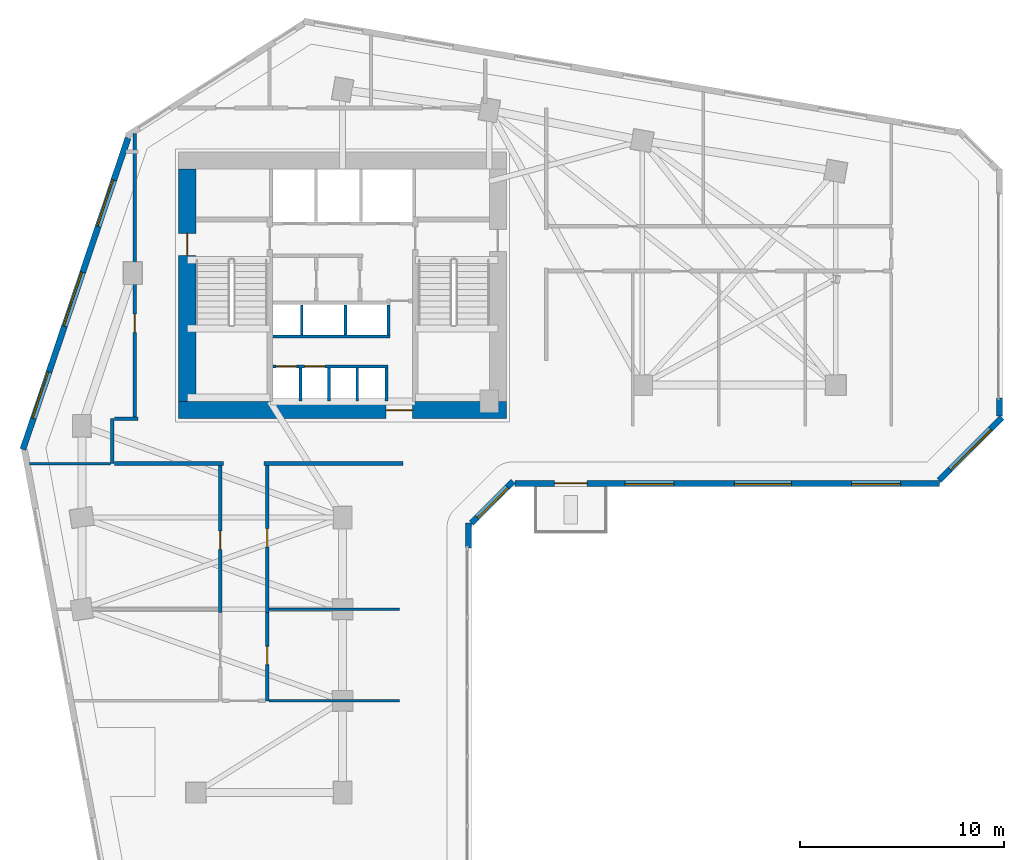
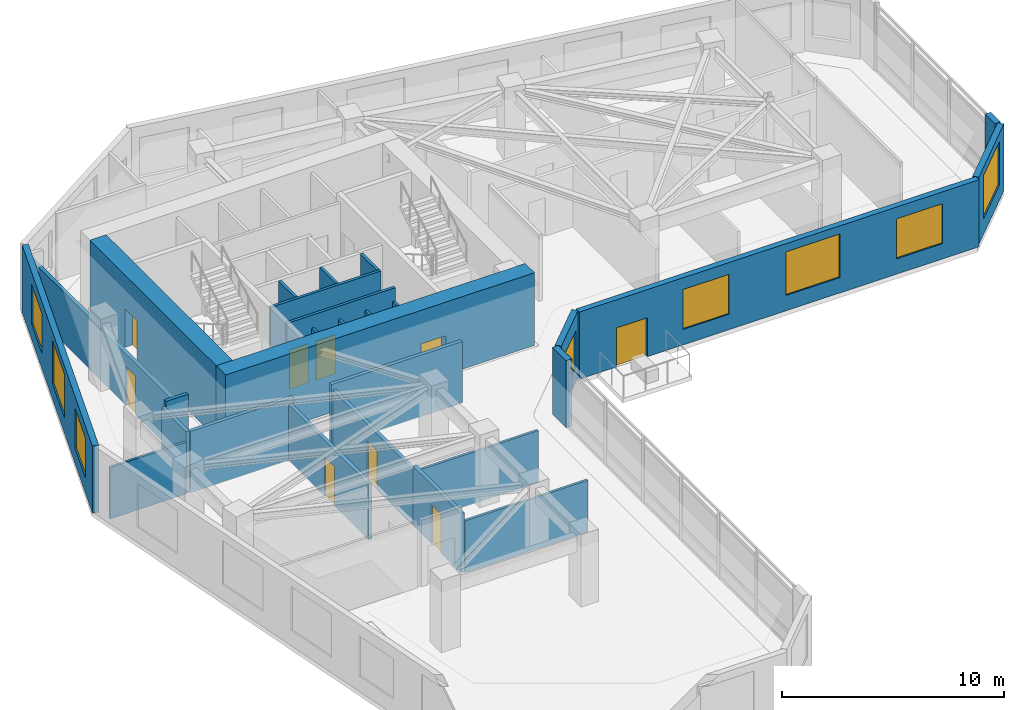
# One storey, part 5 of 10: 28 walls, 9 doors, 8 windows, 17 openings.
"""IFC4 building model written with IfcOpenShell, lengths in metres."""

from ifc_helpers import new_model, si_unit, direction, frame, frame_2d, origin, place, context, subcontext, project, spatial, rectangle, extrude, source, transform, mapped, material, layer, layer_set, type_object, element, fill, save


model = new_model("IFC4")

# Units and contexts
model_context = context("Model", 3, precision=1e-05, world=origin(), true_north=direction((0.0, 1.0)))
body_context = subcontext(model_context, "Body", "Model", "MODEL_VIEW")
ifc_project = project(units=[si_unit("LENGTHUNIT", "METRE"), si_unit("AREAUNIT", "SQUARE_METRE"), si_unit("VOLUMEUNIT", "CUBIC_METRE"), si_unit("PLANEANGLEUNIT", "RADIAN"), si_unit("MASSUNIT", "GRAM", prefix="KILO")], contexts=[model_context])

# Site, building, storey
site_placement = place(None, origin())
site = spatial("IfcSite", under=ifc_project, at=site_placement, CompositionType="ELEMENT")
building_placement = place(site_placement, origin())
building = spatial("IfcBuilding", under=site, at=building_placement, Name="Calvemar Wedge Station Tower", CompositionType="ELEMENT")
storey_placement = place(building_placement, frame((0.0, 0.0, 95.0)))
storey = spatial("IfcBuildingStorey", under=building, at=storey_placement, Name="L23", CompositionType="ELEMENT", Elevation=95.0)

# Wall, opening, door
ifc_material_1 = material(Name="Concrete C80", Category="concrete")
ifc_layer_1 = layer(ifc_material_1, 0.85009765625)
ifc_layer_set_1 = layer_set([ifc_layer_1], Name="Concrete C80")
wall_type_1 = type_object("IfcWallType", Name="SW-CORE-850", PredefinedType="SHEAR", material=ifc_layer_set_1)
wall_1_placement = place(storey_placement, frame((15.75, 33.77490234375, 0.0), z_axis=(0.0, 0.0, 1.0), x_axis=(1.0, 0.0, 0.0)))
wall_1 = element("IfcWall", 1, at=wall_1_placement, inside=storey, type_object=wall_type_1, Name="Storey L23 Core Shear Wall S", PredefinedType="SHEAR", context=body_context, shape_type="SweptSolid", body=[
    extrude(rectangle(XDim=16.10009765625, YDim=0.85009765625, at=frame_2d((8.050048828125, 0.0))), origin(), (0.0, 0.0, 1.0), 4.0),
])
shared_shape_1 = source(origin(), body_context, "Body", "SweptSolid", [
    extrude(rectangle(XDim=1.300048828125, YDim=2.14990234375, at=frame_2d((0.64990234375, 1.074951171875))), frame((0.0, 0.43505859375, 0.0), z_axis=(0.0, -1.0, 0.0), x_axis=(1.0, 0.0, 0.0)), (0.0, 0.0, 1.0), 0.8701171875),
])
opening_1_placement = place(wall_1_placement, frame((10.179931640625, 0.0, 0.0)))
opening_1 = element("IfcOpeningElement", 2, at=opening_1_placement, cuts=wall_1, Name="Opening DD-130", PredefinedType="OPENING", context=body_context, shape_type="MappedRepresentation", body=[
    mapped(shared_shape_1, transform((0.0, 0.0, 0.0), scale=1.0)),
])
ifc_material_2 = material(Name="Double-leaf lift lobby fire door EI 60")
door_type_1 = type_object("IfcDoorType", Name="DR-DBL-1300", OperationType="DOUBLE_DOOR_SINGLE_SWING", PredefinedType="DOOR", material=ifc_material_2)
shared_shape_2 = source(origin(), body_context, "Body", "SweptSolid", [
    extrude(rectangle(XDim=1.300048828125, YDim=2.14990234375, at=frame_2d((0.64990234375, 1.074951171875))), frame((0.0, 0.02490234375, 0.0), z_axis=(0.0, -1.0, 0.0), x_axis=(1.0, 0.0, 0.0)), (0.0, 0.0, 1.0), 0.050048828125),
])
door_1_placement = place(opening_1_placement, origin())
door_1 = element("IfcDoor", 3, at=door_1_placement, inside=storey, type_object=door_type_1, Name="L23 Passenger Lift Lobby Door", OperationType="DOUBLE_DOOR_SINGLE_SWING", OverallHeight=2.14990234375, OverallWidth=1.300048828125, PredefinedType="DOOR", context=body_context, shape_type="MappedRepresentation", body=[
    mapped(shared_shape_2, transform((0.0, 0.0, 0.0), scale=1.0)),
])
fill(opening_1, door_1)

wall_2_placement = place(storey_placement, frame((16.175048828125, 34.199951171875, 0.0), z_axis=(0.0, 0.0, 1.0), x_axis=(0.0, 1.0, 0.0)))
wall_2 = element("IfcWall", 4, at=wall_2_placement, inside=storey, type_object=wall_type_1, Name="Storey L23 Core Shear Wall W", PredefinedType="SHEAR", context=body_context, shape_type="SweptSolid", body=[
    extrude(rectangle(XDim=11.400146484375, YDim=0.85009765625, at=frame_2d((5.7001953125, 0.0))), origin(), (0.0, 0.0, 1.0), 4.0),
])
shared_shape_3 = source(origin(), body_context, "Body", "SweptSolid", [
    extrude(rectangle(XDim=1.10009765625, YDim=2.14990234375, at=frame_2d((0.550048828125, 1.074951171875))), frame((0.0, 0.43505859375, 0.0), z_axis=(0.0, -1.0, 0.0), x_axis=(1.0, 0.0, 0.0)), (0.0, 0.0, 1.0), 0.8701171875),
])
opening_2_placement = place(wall_2_placement, frame((7.14990234375, 0.0, 0.0)))
opening_2 = element("IfcOpeningElement", 5, at=opening_2_placement, cuts=wall_2, Name="Opening FD-90", PredefinedType="OPENING", context=body_context, shape_type="MappedRepresentation", body=[
    mapped(shared_shape_3, transform((0.0, 0.0, 0.0), scale=1.0)),
])
ifc_material_3 = material(Name="Galvanized fire-rated steel door leaf P-90", Category="steel")
door_type_2 = type_object("IfcDoorType", Name="DR-FD90-1100", OperationType="NOTDEFINED", PredefinedType="DOOR", material=ifc_material_3)
shared_shape_4 = source(origin(), body_context, "Body", "SweptSolid", [
    extrude(rectangle(XDim=1.10009765625, YDim=2.14990234375, at=frame_2d((0.550048828125, 1.074951171875))), frame((0.0, 0.02490234375, 0.0), z_axis=(0.0, -1.0, 0.0), x_axis=(1.0, 0.0, 0.0)), (0.0, 0.0, 1.0), 0.050048828125),
])
door_2_placement = place(opening_2_placement, origin())
door_2 = element("IfcDoor", 6, at=door_2_placement, inside=storey, type_object=door_type_2, Name="L23 West Corridor to Exit Stair ST-C1 Door", OperationType="SINGLE_SWING_LEFT", OverallHeight=2.14990234375, OverallWidth=1.10009765625, PredefinedType="DOOR", context=body_context, shape_type="MappedRepresentation", body=[
    mapped(shared_shape_4, transform((0.0, 0.0, 0.0), scale=1.0)),
])
fill(opening_2, door_2)

# Walls
ifc_material_4 = material(Name="Double-stud fire-rated corridor partition")
ifc_layer_2 = layer(ifc_material_4, 0.179931640625)
ifc_layer_set_2 = layer_set([ifc_layer_2], Name="Double-stud fire-rated corridor partition")
wall_type_2 = type_object("IfcWallType", Name="W-CORR-180", PredefinedType="PARTITIONING", material=ifc_layer_set_2)
wall_3_placement = place(storey_placement, frame((12.5, 31.14990234375, 0.0), z_axis=(0.0, 0.0, 1.0), x_axis=(0.0, 1.0, 0.0)))
element("IfcWall", 7, at=wall_3_placement, inside=storey, type_object=wall_type_2, Name="Storey L23 Interior Partition WL-L23-006", PredefinedType="PARTITIONING", context=body_context, shape_type="SweptSolid", body=[
    extrude(rectangle(XDim=2.2001953125, YDim=0.179931640625, at=frame_2d((1.10009765625, 0.0))), origin(), (0.0, 0.0, 1.0), 3.384033203125),
])
wall_4_placement = place(storey_placement, frame((12.593994140625, 33.35009765625, 0.0), z_axis=(0.0, 0.0, 1.0), x_axis=(1.0, 0.0, 0.0)))
element("IfcWall", 8, at=wall_4_placement, inside=storey, type_object=wall_type_2, Name="Storey L23 Interior Partition WL-L23-007", PredefinedType="PARTITIONING", context=body_context, shape_type="SweptSolid", body=[
    extrude(rectangle(XDim=1.166015625, YDim=0.179931640625, at=frame_2d((0.5830078125, 0.0))), origin(), (0.0, 0.0, 1.0), 3.699951171875),
])
wall_5_placement = place(storey_placement, frame((17.9599609375, 31.14990234375, 0.0), z_axis=(0.0, 0.0, 1.0), x_axis=(-1.0, 0.0, 0.0)))
element("IfcWall", 9, at=wall_5_placement, inside=storey, type_object=wall_type_2, Name="Storey L23 Interior Partition WL-L23-008", PredefinedType="PARTITIONING", context=body_context, shape_type="SweptSolid", body=[
    extrude(rectangle(XDim=5.365966796875, YDim=0.179931640625, at=frame_2d((2.68310546875, 0.0))), origin(), (0.0, 0.0, 1.0), 3.384033203125),
])
wall_6_placement = place(storey_placement, frame((26.760009765625, 31.14990234375, 0.0), z_axis=(0.0, 0.0, 1.0), x_axis=(-1.0, 0.0, 0.0)))
element("IfcWall", 10, at=wall_6_placement, inside=storey, type_object=wall_type_2, Name="Storey L23 Interior Partition WL-L23-009", PredefinedType="PARTITIONING", context=body_context, shape_type="SweptSolid", body=[
    extrude(rectangle(XDim=6.820068359375, YDim=0.179931640625, at=frame_2d((3.41015625, 0.0))), origin(), (0.0, 0.0, 1.0), 3.384033203125),
])

# Wall, opening, door
wall_7_placement = place(storey_placement, frame((13.60009765625, 33.444091796875, 0.0), z_axis=(0.0, 0.0, 1.0), x_axis=(0.0, 1.0, 0.0)))
wall_7 = element("IfcWall", 11, at=wall_7_placement, inside=storey, type_object=wall_type_2, Name="Storey L23 Interior Partition WL-L23-010", PredefinedType="PARTITIONING", context=body_context, shape_type="SweptSolid", body=[
    extrude(rectangle(XDim=13.896240234375, YDim=0.179931640625, at=frame_2d((6.9482421875, 0.0))), origin(), (0.0, 0.0, 1.0), 2.842041015625),
])
shared_shape_5 = source(origin(), body_context, "Body", "SweptSolid", [
    extrude(rectangle(XDim=0.89990234375, YDim=2.14990234375, at=frame_2d((0.449951171875, 1.074951171875))), frame((0.0, 0.10009765625, 0.0), z_axis=(0.0, -1.0, 0.0), x_axis=(1.0, 0.0, 0.0)), (0.0, 0.0, 1.0), 0.199951171875),
])
opening_3_placement = place(wall_7_placement, frame((4.143798828125, 0.0, 0.0)))
opening_3 = element("IfcOpeningElement", 12, at=opening_3_placement, cuts=wall_7, Name="Opening D-01", PredefinedType="OPENING", context=body_context, shape_type="MappedRepresentation", body=[
    mapped(shared_shape_5, transform((0.0, 0.0, 0.0), scale=1.0)),
])
ifc_material_5 = material(Name="Architectural hardwood acoustic swing door", Category="wood")
door_type_3 = type_object("IfcDoorType", Name="DR-INT-900", OperationType="NOTDEFINED", PredefinedType="DOOR", material=ifc_material_5)
shared_shape_6 = source(origin(), body_context, "Body", "SweptSolid", [
    extrude(rectangle(XDim=0.89990234375, YDim=2.14990234375, at=frame_2d((0.449951171875, 1.074951171875))), frame((0.0, 0.02490234375, 0.0), z_axis=(0.0, -1.0, 0.0), x_axis=(1.0, 0.0, 0.0)), (0.0, 0.0, 1.0), 0.050048828125),
])
door_3_placement = place(opening_3_placement, origin())
door_3 = element("IfcDoor", 13, at=door_3_placement, inside=storey, type_object=door_type_3, Name="L23 Co-Working Studio Door", OperationType="SINGLE_SWING_RIGHT", OverallHeight=2.14990234375, OverallWidth=0.89990234375, PredefinedType="DOOR", context=body_context, shape_type="MappedRepresentation", body=[
    mapped(shared_shape_6, transform((0.0, 0.0, 0.0), scale=1.0)),
])
fill(opening_3, door_3)

wall_8_placement = place(storey_placement, frame((17.800048828125, 23.840087890625, 0.0), z_axis=(0.0, 0.0, 1.0), x_axis=(0.0, 1.0, 0.0)))
wall_8 = element("IfcWall", 14, at=wall_8_placement, inside=storey, type_object=wall_type_2, Name="Storey L23 Interior Partition WL-L23-034", PredefinedType="PARTITIONING", context=body_context, shape_type="SweptSolid", body=[
    extrude(rectangle(XDim=7.2158203125, YDim=0.179931640625, at=frame_2d((3.60791015625, 0.0))), origin(), (0.0, 0.0, 1.0), 3.074951171875),
])
opening_4_placement = place(wall_8_placement, frame((3.0966796875, 0.0, 0.0)))
opening_4 = element("IfcOpeningElement", 15, at=opening_4_placement, cuts=wall_8, Name="Opening D-01", PredefinedType="OPENING", context=body_context, shape_type="MappedRepresentation", body=[
    mapped(shared_shape_5, transform((0.0, 0.0, 0.0), scale=1.0)),
])
door_4_placement = place(opening_4_placement, origin())
door_4 = element("IfcDoor", 16, at=door_4_placement, inside=storey, type_object=door_type_3, Name="L23 Co-Working Studio Door", OperationType="SINGLE_SWING_LEFT", OverallHeight=2.14990234375, OverallWidth=0.89990234375, PredefinedType="DOOR", context=body_context, shape_type="MappedRepresentation", body=[
    mapped(shared_shape_6, transform((0.0, 0.0, 0.0), scale=1.0)),
])
fill(opening_4, door_4)

wall_9_placement = place(storey_placement, frame((20.10009765625, 31.055908203125, 0.0), z_axis=(0.0, 0.0, 1.0), x_axis=(0.0, -1.0, 0.0)))
wall_9 = element("IfcWall", 17, at=wall_9_placement, inside=storey, type_object=wall_type_2, Name="Storey L23 Interior Partition WL-L23-036", PredefinedType="PARTITIONING", context=body_context, shape_type="SweptSolid", body=[
    extrude(rectangle(XDim=7.2158203125, YDim=0.179931640625, at=frame_2d((3.60791015625, 0.0))), origin(), (0.0, 0.0, 1.0), 3.074951171875),
])
opening_5_placement = place(wall_9_placement, frame((3.0966796875, 0.0, 0.0)))
opening_5 = element("IfcOpeningElement", 18, at=opening_5_placement, cuts=wall_9, Name="Opening D-01", PredefinedType="OPENING", context=body_context, shape_type="MappedRepresentation", body=[
    mapped(shared_shape_5, transform((0.0, 0.0, 0.0), scale=1.0)),
])
door_5_placement = place(opening_5_placement, origin())
door_5 = element("IfcDoor", 19, at=door_5_placement, inside=storey, type_object=door_type_3, Name="L23 Meeting Room Door", OperationType="SINGLE_SWING_LEFT", OverallHeight=2.14990234375, OverallWidth=0.89990234375, PredefinedType="DOOR", context=body_context, shape_type="MappedRepresentation", body=[
    mapped(shared_shape_6, transform((0.0, 0.0, 0.0), scale=1.0)),
])
fill(opening_5, door_5)

wall_10_placement = place(storey_placement, frame((20.10009765625, 23.837890625, 0.0), z_axis=(0.0, 0.0, 1.0), x_axis=(0.0, -1.0, 0.0)))
wall_10 = element("IfcWall", 20, at=wall_10_placement, inside=storey, type_object=wall_type_2, Name="Storey L23 Interior Partition WL-L23-037", PredefinedType="PARTITIONING", context=body_context, shape_type="SweptSolid", body=[
    extrude(rectangle(XDim=4.337890625, YDim=0.179931640625, at=frame_2d((2.1689453125, 0.0))), origin(), (0.0, 0.0, 1.0), 3.27197265625),
])
opening_6_placement = place(wall_10_placement, frame((1.656494140625, 0.0, 0.0)))
opening_6 = element("IfcOpeningElement", 21, at=opening_6_placement, cuts=wall_10, Name="Opening D-01", PredefinedType="OPENING", context=body_context, shape_type="MappedRepresentation", body=[
    mapped(shared_shape_5, transform((0.0, 0.0, 0.0), scale=1.0)),
])
door_6_placement = place(opening_6_placement, origin())
door_6 = element("IfcDoor", 22, at=door_6_placement, inside=storey, type_object=door_type_3, Name="L23 Office Door", OperationType="SINGLE_SWING_RIGHT", OverallHeight=2.14990234375, OverallWidth=0.89990234375, PredefinedType="DOOR", context=body_context, shape_type="MappedRepresentation", body=[
    mapped(shared_shape_6, transform((0.0, 0.0, 0.0), scale=1.0)),
])
fill(opening_6, door_6)

# Wall
ifc_material_6 = material(Name="Precast concrete C45", Category="concrete")
ifc_layer_3 = layer(ifc_material_6, 0.300048828125)
ifc_layer_set_3 = layer_set([ifc_layer_3], Name="Precast concrete C45")
wall_type_3 = type_object("IfcWallType", Name="W-EXT-GFRC-300", PredefinedType="SOLIDWALL", material=ifc_layer_set_3)
wall_11_placement = place(storey_placement, frame((29.97802734375, 27.01513671875, 0.0), z_axis=(0.0, 0.0, 1.0), x_axis=(0.0, 1.0, 0.0)))
element("IfcWall", 23, at=wall_11_placement, inside=storey, type_object=wall_type_3, Name="Storey L23 Bronze GFRC Corner Pier 4B", PredefinedType="SOLIDWALL", context=body_context, shape_type="SweptSolid", body=[
    extrude(rectangle(XDim=1.224853515625, YDim=0.300048828125, at=frame_2d((0.6123046875, 0.0))), origin(), (0.0, 0.0, 1.0), 3.699951171875),
])

# Wall, opening, window
wall_12_placement = place(storey_placement, frame((30.115966796875, 28.22802734375, 0.0), z_axis=(0.0, 0.0, 1.0), x_axis=(0.707064797706, 0.707148762175, 0.0)))
wall_12 = element("IfcWall", 24, at=wall_12_placement, inside=storey, type_object=wall_type_3, Name="Storey L23 Bronze GFRC Exterior Wall 5", PredefinedType="SOLIDWALL", context=body_context, shape_type="SweptSolid", body=[
    extrude(rectangle(XDim=2.90771484375, YDim=0.300048828125, at=frame_2d((1.453857421875, 0.0))), origin(), (0.0, 0.0, 1.0), 3.699951171875),
])
shared_shape_7 = source(origin(), body_context, "Body", "SweptSolid", [
    extrude(rectangle(XDim=2.10009765625, YDim=2.0, at=frame_2d((1.050048828125, 1.0))), frame((0.0, 0.16015625, 0.0), z_axis=(0.0, -1.0, 0.0), x_axis=(1.0, 0.0, 0.0)), (0.0, 0.0, 1.0), 0.320068359375),
])
opening_7_placement = place(wall_12_placement, frame((0.404052734375, 0.0, 0.85009765625)))
opening_7 = element("IfcOpeningElement", 25, at=opening_7_placement, cuts=wall_12, Name="Opening W4", PredefinedType="OPENING", context=body_context, shape_type="MappedRepresentation", body=[
    mapped(shared_shape_7, transform((0.0, 0.0, 0.0), scale=1.0)),
])
ifc_material_7 = material(Name="Low-E laminated insulated glass", Category="glass")
window_type_1 = type_object("IfcWindowType", Name="WIN-EXT-4", PartitioningType="SINGLE_PANEL", PredefinedType="WINDOW", material=ifc_material_7)
shared_shape_8 = source(origin(), body_context, "Body", "SweptSolid", [
    extrude(rectangle(XDim=2.10009765625, YDim=2.0, at=frame_2d((1.050048828125, 1.0))), frame((0.0, -0.014892578125, 0.0), z_axis=(0.0, -1.0, 0.0), x_axis=(1.0, 0.0, 0.0)), (0.0, 0.0, 1.0), 0.06005859375),
])
window_1_placement = place(opening_7_placement, origin())
window_1 = element("IfcWindow", 26, at=window_1_placement, inside=storey, type_object=window_type_1, Name="Storey L23 Recessed Window 5.1", OverallHeight=2.0, OverallWidth=2.10009765625, PartitioningType="SINGLE_PANEL", PredefinedType="WINDOW", context=body_context, shape_type="MappedRepresentation", body=[
    mapped(shared_shape_8, transform((0.0, 0.0, 0.0), scale=1.0)),
])
fill(opening_7, window_1)

# Wall, openings, windows, door
wall_13_placement = place(storey_placement, frame((32.260986328125, 30.177978515625, 0.0), z_axis=(0.0, 0.0, 1.0), x_axis=(1.0, 0.0, 0.0)))
wall_13 = element("IfcWall", 27, at=wall_13_placement, inside=storey, type_object=wall_type_3, Name="Storey L23 Bronze GFRC Exterior Wall 6", PredefinedType="SOLIDWALL", context=body_context, shape_type="SweptSolid", body=[
    extrude(rectangle(XDim=20.826904296875, YDim=0.300048828125, at=frame_2d((10.41357421875, 0.0))), origin(), (0.0, 0.0, 1.0), 3.699951171875),
])
shared_shape_9 = source(origin(), body_context, "Body", "SweptSolid", [
    extrude(rectangle(XDim=1.60009765625, YDim=2.14990234375, at=frame_2d((0.800048828125, 1.074951171875))), frame((0.0, 0.16015625, 0.0), z_axis=(0.0, -1.0, 0.0), x_axis=(1.0, 0.0, 0.0)), (0.0, 0.0, 1.0), 0.320068359375),
])
opening_8_placement = place(wall_13_placement, frame((1.93896484375, 0.0, 0.0)))
opening_8 = element("IfcOpeningElement", 28, at=opening_8_placement, cuts=wall_13, Name="Opening DT1", PredefinedType="OPENING", context=body_context, shape_type="MappedRepresentation", body=[
    mapped(shared_shape_9, transform((0.0, 0.0, 0.0), scale=1.0)),
])
shared_shape_10 = source(origin(), body_context, "Body", "SweptSolid", [
    extrude(rectangle(XDim=2.39990234375, YDim=2.199951171875, at=frame_2d((1.199951171875, 1.10009765625))), frame((0.0, 0.16015625, 0.0), z_axis=(0.0, -1.0, 0.0), x_axis=(1.0, 0.0, 0.0)), (0.0, 0.0, 1.0), 0.320068359375),
])
opening_9_placement = place(wall_13_placement, frame((5.39990234375, 0.0, 0.85009765625)))
opening_9 = element("IfcOpeningElement", 29, at=opening_9_placement, cuts=wall_13, Name="Opening W1", PredefinedType="OPENING", context=body_context, shape_type="MappedRepresentation", body=[
    mapped(shared_shape_10, transform((0.0, 0.0, 0.0), scale=1.0)),
])
shared_shape_11 = source(origin(), body_context, "Body", "SweptSolid", [
    extrude(rectangle(XDim=2.800048828125, YDim=2.39990234375, at=frame_2d((1.39990234375, 1.199951171875))), frame((0.0, 0.16015625, 0.0), z_axis=(0.0, -1.0, 0.0), x_axis=(1.0, 0.0, 0.0)), (0.0, 0.0, 1.0), 0.320068359375),
])
opening_10_placement = place(wall_13_placement, frame((10.762939453125, 0.0, 0.85009765625)))
opening_10 = element("IfcOpeningElement", 30, at=opening_10_placement, cuts=wall_13, Name="Opening W6", PredefinedType="OPENING", context=body_context, shape_type="MappedRepresentation", body=[
    mapped(shared_shape_11, transform((0.0, 0.0, 0.0), scale=1.0)),
])
opening_11_placement = place(wall_13_placement, frame((16.52587890625, 0.0, 0.85009765625)))
opening_11 = element("IfcOpeningElement", 31, at=opening_11_placement, cuts=wall_13, Name="Opening W1", PredefinedType="OPENING", context=body_context, shape_type="MappedRepresentation", body=[
    mapped(shared_shape_10, transform((0.0, 0.0, 0.0), scale=1.0)),
])
window_type_2 = type_object("IfcWindowType", Name="WIN-EXT-6", PartitioningType="SINGLE_PANEL", PredefinedType="WINDOW", material=ifc_material_7)
shared_shape_12 = source(origin(), body_context, "Body", "SweptSolid", [
    extrude(rectangle(XDim=2.800048828125, YDim=2.39990234375, at=frame_2d((1.39990234375, 1.199951171875))), frame((0.0, -0.014892578125, 0.0), z_axis=(0.0, -1.0, 0.0), x_axis=(1.0, 0.0, 0.0)), (0.0, 0.0, 1.0), 0.06005859375),
])
window_2_placement = place(opening_10_placement, origin())
window_2 = element("IfcWindow", 32, at=window_2_placement, inside=storey, type_object=window_type_2, Name="Storey L23 Recessed Window 6.2", OverallHeight=2.39990234375, OverallWidth=2.800048828125, PartitioningType="SINGLE_PANEL", PredefinedType="WINDOW", context=body_context, shape_type="MappedRepresentation", body=[
    mapped(shared_shape_12, transform((0.0, 0.0, 0.0), scale=1.0)),
])
fill(opening_10, window_2)
window_type_3 = type_object("IfcWindowType", Name="WIN-EXT-1", PartitioningType="SINGLE_PANEL", PredefinedType="WINDOW", material=ifc_material_7)
shared_shape_13 = source(origin(), body_context, "Body", "SweptSolid", [
    extrude(rectangle(XDim=2.39990234375, YDim=2.199951171875, at=frame_2d((1.199951171875, 1.10009765625))), frame((0.0, -0.014892578125, 0.0), z_axis=(0.0, -1.0, 0.0), x_axis=(1.0, 0.0, 0.0)), (0.0, 0.0, 1.0), 0.06005859375),
])
window_3_placement = place(opening_9_placement, origin())
window_3 = element("IfcWindow", 33, at=window_3_placement, inside=storey, type_object=window_type_3, Name="Storey L23 Recessed Window 6.1", OverallHeight=2.199951171875, OverallWidth=2.39990234375, PartitioningType="SINGLE_PANEL", PredefinedType="WINDOW", context=body_context, shape_type="MappedRepresentation", body=[
    mapped(shared_shape_13, transform((0.0, 0.0, 0.0), scale=1.0)),
])
fill(opening_9, window_3)
window_4_placement = place(opening_11_placement, origin())
window_4 = element("IfcWindow", 34, at=window_4_placement, inside=storey, type_object=window_type_3, Name="Storey L23 Recessed Window 6.3", OverallHeight=2.199951171875, OverallWidth=2.39990234375, PartitioningType="SINGLE_PANEL", PredefinedType="WINDOW", context=body_context, shape_type="MappedRepresentation", body=[
    mapped(shared_shape_13, transform((0.0, 0.0, 0.0), scale=1.0)),
])
fill(opening_11, window_4)
ifc_material_8 = material(Name="Anodised aluminium 6063-T6", Category="aluminium")
door_type_4 = type_object("IfcDoorType", Name="DR-TERR-1600", OperationType="DOUBLE_DOOR_SLIDING", PredefinedType="DOOR", material=ifc_material_8)
shared_shape_14 = source(origin(), body_context, "Body", "SweptSolid", [
    extrude(rectangle(XDim=1.60009765625, YDim=2.14990234375, at=frame_2d((0.800048828125, 1.074951171875))), frame((0.0, 0.02490234375, 0.0), z_axis=(0.0, -1.0, 0.0), x_axis=(1.0, 0.0, 0.0)), (0.0, 0.0, 1.0), 0.050048828125),
])
door_7_placement = place(opening_8_placement, origin())
door_7 = element("IfcDoor", 35, at=door_7_placement, inside=storey, type_object=door_type_4, Name="Storey L23 Spiral Terrace Door", OperationType="DOUBLE_DOOR_SLIDING", OverallHeight=2.14990234375, OverallWidth=1.60009765625, PredefinedType="DOOR", context=body_context, shape_type="MappedRepresentation", body=[
    mapped(shared_shape_14, transform((0.0, 0.0, 0.0), scale=1.0)),
])
fill(opening_8, door_7)

# Wall, opening, window
wall_14_placement = place(storey_placement, frame((53.075927734375, 30.31591796875, 0.0), z_axis=(0.0, 0.0, 1.0), x_axis=(0.707078757535, 0.707134803727, 0.0)))
wall_14 = element("IfcWall", 36, at=wall_14_placement, inside=storey, type_object=wall_type_3, Name="Storey L23 Bronze GFRC Exterior Wall 7", PredefinedType="SOLIDWALL", context=body_context, shape_type="SweptSolid", body=[
    extrude(rectangle(XDim=4.35595703125, YDim=0.300048828125, at=frame_2d((2.177978515625, 0.0))), origin(), (0.0, 0.0, 1.0), 3.699951171875),
])
opening_12_placement = place(wall_14_placement, frame((0.778076171875, 0.0, 0.85009765625)))
opening_12 = element("IfcOpeningElement", 37, at=opening_12_placement, cuts=wall_14, Name="Opening W6", PredefinedType="OPENING", context=body_context, shape_type="MappedRepresentation", body=[
    mapped(shared_shape_11, transform((0.0, 0.0, 0.0), scale=1.0)),
])
window_5_placement = place(opening_12_placement, origin())
window_5 = element("IfcWindow", 38, at=window_5_placement, inside=storey, type_object=window_type_2, Name="Storey L23 Recessed Window 7.1", OverallHeight=2.39990234375, OverallWidth=2.800048828125, PartitioningType="SINGLE_PANEL", PredefinedType="WINDOW", context=body_context, shape_type="MappedRepresentation", body=[
    mapped(shared_shape_12, transform((0.0, 0.0, 0.0), scale=1.0)),
])
fill(opening_12, window_5)

# Wall
wall_15_placement = place(storey_placement, frame((56.050048828125, 33.4853515625, 0.0), z_axis=(0.0, 0.0, 1.0), x_axis=(0.0, 1.0, 0.0)))
element("IfcWall", 39, at=wall_15_placement, inside=storey, type_object=wall_type_3, Name="Storey L23 Bronze GFRC Corner Pier 8A", PredefinedType="SOLIDWALL", context=body_context, shape_type="SweptSolid", body=[
    extrude(rectangle(XDim=0.879638671875, YDim=0.300048828125, at=frame_2d((0.43994140625, 0.0))), origin(), (0.0, 0.0, 1.0), 3.699951171875),
])

# Wall, openings, windows
wall_16_placement = place(storey_placement, frame((13.2685546875, 47.1337890625, 0.0), z_axis=(0.0, 0.0, 1.0), x_axis=(-0.319920423265, -0.947444416722, 0.0)))
wall_16 = element("IfcWall", 40, at=wall_16_placement, inside=storey, type_object=wall_type_3, Name="Storey L23 Bronze GFRC Exterior Wall 12", PredefinedType="SOLIDWALL", context=body_context, shape_type="SweptSolid", body=[
    extrude(rectangle(XDim=16.134765625, YDim=0.300048828125, at=frame_2d((8.0673828125, 0.0))), origin(), (0.0, 0.0, 1.0), 3.699951171875),
])
opening_13_placement = place(wall_16_placement, frame((2.18798828125, 0.0, 0.85009765625)))
opening_13 = element("IfcOpeningElement", 41, at=opening_13_placement, cuts=wall_16, Name="Opening W1", PredefinedType="OPENING", context=body_context, shape_type="MappedRepresentation", body=[
    mapped(shared_shape_10, transform((0.0, 0.0, 0.0), scale=1.0)),
])
opening_14_placement = place(wall_16_placement, frame((6.958984375, 0.0, 0.85009765625)))
opening_14 = element("IfcOpeningElement", 42, at=opening_14_placement, cuts=wall_16, Name="Opening W6", PredefinedType="OPENING", context=body_context, shape_type="MappedRepresentation", body=[
    mapped(shared_shape_11, transform((0.0, 0.0, 0.0), scale=1.0)),
])
opening_15_placement = place(wall_16_placement, frame((12.1298828125, 0.0, 0.85009765625)))
opening_15 = element("IfcOpeningElement", 43, at=opening_15_placement, cuts=wall_16, Name="Opening W1", PredefinedType="OPENING", context=body_context, shape_type="MappedRepresentation", body=[
    mapped(shared_shape_10, transform((0.0, 0.0, 0.0), scale=1.0)),
])
window_6_placement = place(opening_14_placement, origin())
window_6 = element("IfcWindow", 44, at=window_6_placement, inside=storey, type_object=window_type_2, Name="Storey L23 Recessed Window 12.2", OverallHeight=2.39990234375, OverallWidth=2.800048828125, PartitioningType="SINGLE_PANEL", PredefinedType="WINDOW", context=body_context, shape_type="MappedRepresentation", body=[
    mapped(shared_shape_12, transform((0.0, 0.0, 0.0), scale=1.0)),
])
fill(opening_14, window_6)
window_7_placement = place(opening_13_placement, origin())
window_7 = element("IfcWindow", 45, at=window_7_placement, inside=storey, type_object=window_type_3, Name="Storey L23 Recessed Window 12.1", OverallHeight=2.199951171875, OverallWidth=2.39990234375, PartitioningType="SINGLE_PANEL", PredefinedType="WINDOW", context=body_context, shape_type="MappedRepresentation", body=[
    mapped(shared_shape_13, transform((0.0, 0.0, 0.0), scale=1.0)),
])
fill(opening_13, window_7)
window_8_placement = place(opening_15_placement, origin())
window_8 = element("IfcWindow", 46, at=window_8_placement, inside=storey, type_object=window_type_3, Name="Storey L23 Recessed Window 12.3", OverallHeight=2.199951171875, OverallWidth=2.39990234375, PartitioningType="SINGLE_PANEL", PredefinedType="WINDOW", context=body_context, shape_type="MappedRepresentation", body=[
    mapped(shared_shape_13, transform((0.0, 0.0, 0.0), scale=1.0)),
])
fill(opening_15, window_8)

# Wall, openings, doors
ifc_material_9 = material(Name="Reinforced concrete blockwork lift shaft wall", Category="masonry")
ifc_layer_4 = layer(ifc_material_9, 0.139892578125)
ifc_layer_set_4 = layer_set([ifc_layer_4], Name="Reinforced concrete blockwork lift shaft wall")
wall_type_4 = type_object("IfcWallType", Name="W-LIFT-160", PredefinedType="SOLIDWALL", material=ifc_layer_set_4)
wall_17_placement = place(storey_placement, frame((20.3798828125, 35.919921875, 0.0), z_axis=(0.0, 0.0, 1.0), x_axis=(1.0, 0.0, 0.0)))
wall_17 = element("IfcWall", 47, at=wall_17_placement, inside=storey, type_object=wall_type_4, Name="Storey L23 South Passenger Lift Bank Front Wall", PredefinedType="SOLIDWALL", context=body_context, shape_type="SweptSolid", body=[
    extrude(rectangle(XDim=5.650146484375, YDim=0.139892578125, at=frame_2d((2.8251953125, 0.0))), origin(), (0.0, 0.0, 1.0), 3.699951171875),
])
shared_shape_15 = source(origin(), body_context, "Body", "SweptSolid", [
    extrude(rectangle(XDim=1.0, YDim=2.14990234375, at=frame_2d((0.5, 1.074951171875))), frame((0.0, 0.080078125, 0.0), z_axis=(0.0, -1.0, 0.0), x_axis=(1.0, 0.0, 0.0)), (0.0, 0.0, 1.0), 0.159912109375),
])
opening_16_placement = place(wall_17_placement, frame((0.159912109375, 0.0, 0.0)))
opening_16 = element("IfcOpeningElement", 48, at=opening_16_placement, cuts=wall_17, Name="Opening LD-PAX", PredefinedType="OPENING", context=body_context, shape_type="MappedRepresentation", body=[
    mapped(shared_shape_15, transform((0.0, 0.0, 0.0), scale=1.0)),
])
opening_17_placement = place(wall_17_placement, frame((1.550048828125, 0.0, 0.0)))
opening_17 = element("IfcOpeningElement", 49, at=opening_17_placement, cuts=wall_17, Name="Opening LD-PAX", PredefinedType="OPENING", context=body_context, shape_type="MappedRepresentation", body=[
    mapped(shared_shape_15, transform((0.0, 0.0, 0.0), scale=1.0)),
])
ifc_material_10 = material(Name="Anodised bronze passenger lift sliding landing door")
door_type_5 = type_object("IfcDoorType", Name="DR-LD-PAX-1000", OperationType="SLIDING_TO_LEFT", PredefinedType="DOOR", material=ifc_material_10)
shared_shape_16 = source(origin(), body_context, "Body", "SweptSolid", [
    extrude(rectangle(XDim=1.0, YDim=2.14990234375, at=frame_2d((0.5, 1.074951171875))), frame((0.0, 0.02490234375, 0.0), z_axis=(0.0, -1.0, 0.0), x_axis=(1.0, 0.0, 0.0)), (0.0, 0.0, 1.0), 0.050048828125),
])
door_8_placement = place(opening_16_placement, origin())
door_8 = element("IfcDoor", 50, at=door_8_placement, inside=storey, type_object=door_type_5, Name="L23 Lift OL-01 Sliding Landing Door", OperationType="SLIDING_TO_LEFT", OverallHeight=2.14990234375, OverallWidth=1.0, PredefinedType="DOOR", context=body_context, shape_type="MappedRepresentation", body=[
    mapped(shared_shape_16, transform((0.0, 0.0, 0.0), scale=1.0)),
])
fill(opening_16, door_8)
door_9_placement = place(opening_17_placement, origin())
door_9 = element("IfcDoor", 51, at=door_9_placement, inside=storey, type_object=door_type_5, Name="L23 Lift OL-02 Sliding Landing Door", OperationType="SLIDING_TO_RIGHT", OverallHeight=2.14990234375, OverallWidth=1.0, PredefinedType="DOOR", context=body_context, shape_type="MappedRepresentation", body=[
    mapped(shared_shape_16, transform((0.0, 0.0, 0.0), scale=1.0)),
])
fill(opening_17, door_9)

# Walls
for number, where, z_axis, x_axis, name in (
    (52, (25.9599609375, 34.219970703125, 0.0), (0.0, 0.0, 1.0), (0.0, 1.0, 0.0), "Storey L23 South Passenger Lift Shaft Wall E"),
    (53, (21.735107421875, 34.219970703125, 0.0), (0.0, 0.0, 1.0), (0.0, 1.0, 0.0), "Storey L23 South Passenger Lift Shaft Wall D1"),
    (54, (23.125, 34.219970703125, 0.0), (0.0, 0.0, 1.0), (0.0, 1.0, 0.0), "Storey L23 South Passenger Lift Shaft Wall D2"),
    (55, (24.514892578125, 34.219970703125, 0.0), (0.0, 0.0, 1.0), (0.0, 1.0, 0.0), "Storey L23 South Passenger Lift Shaft Wall D3"),
):
    element("IfcWall", number, at=place(storey_placement, frame(where, z_axis=z_axis, x_axis=x_axis)), inside=storey, type_object=wall_type_4, Name=name, PredefinedType="SOLIDWALL", context=body_context, shape_type="SweptSolid", body=[
        extrude(rectangle(XDim=1.6201171875, YDim=0.139892578125, at=frame_2d((0.81005859375, 0.0))), origin(), (0.0, 0.0, 1.0), 2.991943359375),
    ])
wall_18_placement = place(storey_placement, frame((20.3798828125, 37.3798828125, 0.0), z_axis=(0.0, 0.0, 1.0), x_axis=(1.0, 0.0, 0.0)))
element("IfcWall", 56, at=wall_18_placement, inside=storey, type_object=wall_type_4, Name="Storey L23 Upper Passenger Lift Bank Front Wall", PredefinedType="SOLIDWALL", context=body_context, shape_type="SweptSolid", body=[
    extrude(rectangle(XDim=5.75, YDim=0.139892578125, at=frame_2d((2.875, 0.0))), origin(), (0.0, 0.0, 1.0), 3.699951171875),
])
for number, where, z_axis, x_axis, name in (
    (57, (26.06005859375, 37.4599609375, 0.0), (0.0, 0.0, 1.0), (0.0, 1.0, 0.0), "Storey L23 Upper Passenger Lift Shaft Wall E"),
    (58, (21.794921875, 37.4599609375, 0.0), (0.0, 0.0, 1.0), (0.0, 1.0, 0.0), "Storey L23 Upper Passenger Lift Shaft Wall D1"),
    (59, (23.93505859375, 37.4599609375, 0.0), (0.0, 0.0, 1.0), (0.0, 1.0, 0.0), "Storey L23 Upper Passenger Lift Shaft Wall D2"),
):
    element("IfcWall", number, at=place(storey_placement, frame(where, z_axis=z_axis, x_axis=x_axis)), inside=storey, type_object=wall_type_4, Name=name, PredefinedType="SOLIDWALL", context=body_context, shape_type="SweptSolid", body=[
        extrude(rectangle(XDim=1.47998046875, YDim=0.139892578125, at=frame_2d((0.739990234375, 0.0))), origin(), (0.0, 0.0, 1.0), 3.699951171875),
    ])
ifc_material_11 = material(Name="Insulated acoustic gypsum stud partition")
ifc_layer_5 = layer(ifc_material_11, 0.125)
ifc_layer_set_5 = layer_set([ifc_layer_5], Name="Insulated acoustic gypsum stud partition")
wall_type_5 = type_object("IfcWallType", Name="W-PART-125", PredefinedType="PARTITIONING", material=ifc_layer_set_5)
wall_19_placement = place(storey_placement, frame((12.406005859375, 31.14990234375, 0.0), z_axis=(0.0, 0.0, 1.0), x_axis=(-1.0, 0.0, 0.0)))
element("IfcWall", 60, at=wall_19_placement, inside=storey, type_object=wall_type_5, Name="Storey L23 Interior Partition WL-L23-018", PredefinedType="PARTITIONING", context=body_context, shape_type="SweptSolid", body=[
    extrude(rectangle(XDim=3.97900390625, YDim=0.125, at=frame_2d((1.989501953125, 0.0))), origin(), (0.0, 0.0, 1.0), 2.842041015625),
])
for number, where, z_axis, x_axis, name in (
    (61, (26.60009765625, 24.0, 0.0), (0.0, 0.0, 1.0), (-1.0, 0.0, 0.0), "Storey L23 Interior Partition WL-L23-041"),
    (62, (26.60009765625, 19.5, 0.0), (0.0, 0.0, 1.0), (-1.0, 0.0, 0.0), "Storey L23 Interior Partition WL-L23-042"),
):
    element("IfcWall", number, at=place(storey_placement, frame(where, z_axis=z_axis, x_axis=x_axis)), inside=storey, type_object=wall_type_5, Name=name, PredefinedType="PARTITIONING", context=body_context, shape_type="SweptSolid", body=[
        extrude(rectangle(XDim=6.406005859375, YDim=0.125, at=frame_2d((3.203125, 0.0))), origin(), (0.0, 0.0, 1.0), 2.842041015625),
    ])

save(model, "model.ifc")
